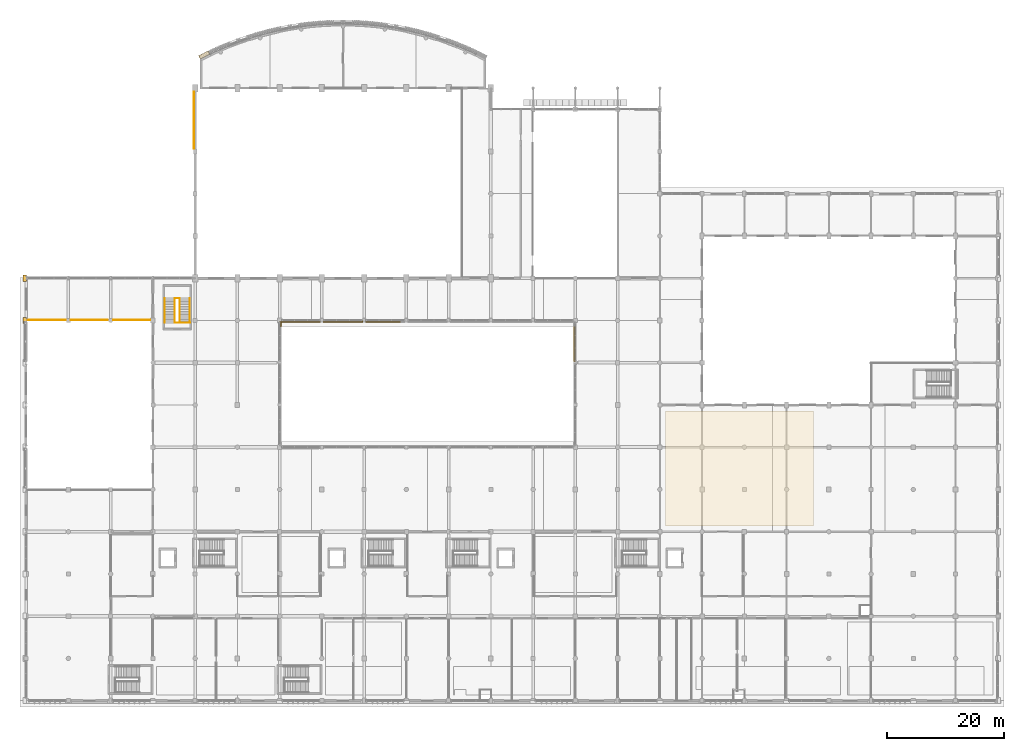
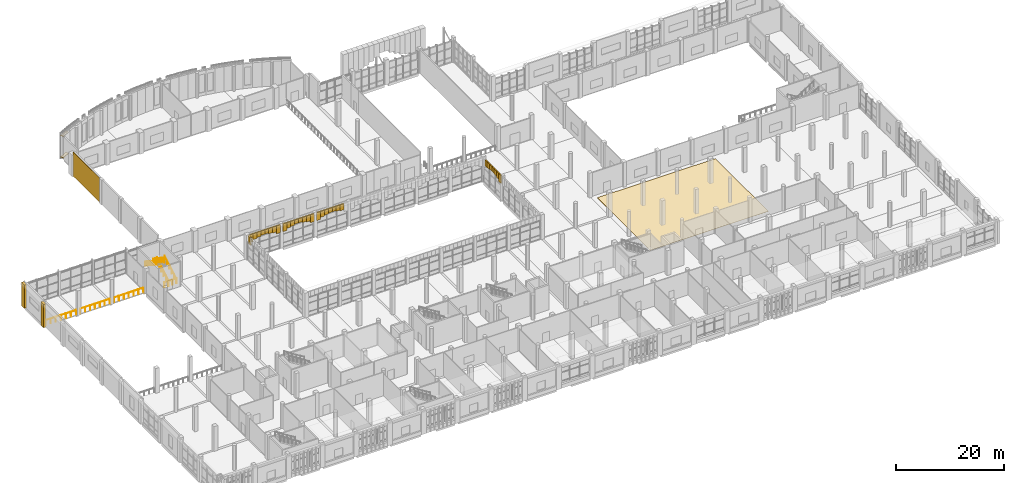
# One storey, part 71 of 80: 37 coverings, 7 railings.
"""IFC4 building model written with IfcOpenShell, lengths in metres."""

from ifc_helpers import new_model, si_unit, direction, frame, frame_2d, origin, origin_2d, place, context, subcontext, project, spatial, polyline, rectangle, circle, outline, extrude, material, layer, layer_set, type_object, element, save


model = new_model("IFC4")

# Units and contexts
model_context = context("Model", 3, precision=1e-05, world=origin(), true_north=direction((0.0, 1.0)))
body_context = subcontext(model_context, "Body", "Model", "MODEL_VIEW")
ifc_project = project(units=[si_unit("LENGTHUNIT", "METRE"), si_unit("AREAUNIT", "SQUARE_METRE"), si_unit("VOLUMEUNIT", "CUBIC_METRE"), si_unit("PLANEANGLEUNIT", "RADIAN"), si_unit("MASSUNIT", "GRAM", prefix="KILO")], contexts=[model_context])

# Site, building, storey
site_placement = place(None, origin())
site = spatial("IfcSite", under=ifc_project, at=site_placement, CompositionType="ELEMENT")
building_placement = place(site_placement, origin())
building = spatial("IfcBuilding", under=site, at=building_placement, Name="Sardonyx Promenade Sports Hall", CompositionType="ELEMENT")
storey_placement = place(building_placement, frame((0.0, 0.0, 5.60009765625)))
storey = spatial("IfcBuildingStorey", under=building, at=storey_placement, Name="L01", CompositionType="ELEMENT", Elevation=5.60009765625)

# Coverings
ifc_material_1 = material(Name="Dressed Cape red sandstone ashlar", Category="masonry")
ifc_layer_1 = layer(ifc_material_1, 0.06005859375)
ifc_layer_set_1 = layer_set([ifc_layer_1], Name="Cov_Cladding_Sandstone")
covering_type_1 = type_object("IfcCoveringType", Name="Cov_Cladding_Sandstone", PredefinedType="CLADDING", material=ifc_layer_set_1)
covering_1_placement = place(storey_placement, frame((28.614990234375, 94.034912109375, 0.0498046875), z_axis=(0.0, 0.0, 1.0), x_axis=(0.0, 1.0, 0.0)))
element("IfcCovering", 1, at=covering_1_placement, inside=storey, type_object=covering_type_1, Name="Dressed sandstone ashlar cladding L01 #213", PredefinedType="CLADDING", context=body_context, shape_type="SweptSolid", body=[
    extrude(rectangle(XDim=9.72998046875, YDim=0.050048828125, at=frame_2d((4.864990234375, 0.0))), origin(), (0.0, 0.0, 1.0), 5.5),
])
covering_2_placement = place(storey_placement, origin())
element("IfcCovering", 2, at=covering_2_placement, inside=storey, type_object=covering_type_1, Name="West sandstone pier casing L01 #9", PredefinedType="CLADDING", context=body_context, shape_type="SweptSolid", body=[
    extrude(outline(polyline([(-0.5, 64.280029296875), (0.02001953125, 64.280029296875), (0.02001953125, 65.320068359375), (-0.5, 65.320068359375), (-0.5, 64.280029296875)])), origin(), (0.0, 0.0, 1.0), 5.25),
])
covering_3_placement = place(storey_placement, origin())
element("IfcCovering", 3, at=covering_3_placement, inside=storey, type_object=covering_type_1, Name="West sandstone pier casing L01 #10", PredefinedType="CLADDING", context=body_context, shape_type="SweptSolid", body=[
    extrude(outline(polyline([(-0.5, 71.47998046875), (0.02001953125, 71.47998046875), (0.02001953125, 72.52001953125), (-0.5, 72.52001953125), (-0.5, 71.47998046875)])), origin(), (0.0, 0.0, 1.0), 5.25),
])
ifc_material_2 = material(Name="EPDM polymeric athletic surfacing", Category="other")
ifc_layer_2 = layer(ifc_material_2, 0.02490234375)
ifc_layer_set_2 = layer_set([ifc_layer_2], Name="Cov_Floor_Athletic")
covering_type_2 = type_object("IfcCoveringType", Name="Cov_Floor_Athletic", PredefinedType="FLOORING", material=ifc_layer_set_2)
covering_4_placement = place(storey_placement, origin())
element("IfcCovering", 4, at=covering_4_placement, inside=storey, type_object=covering_type_2, Name="Athletic flooring FLR2 L01 #18", PredefinedType="FLOORING", context=body_context, shape_type="SweptSolid", body=[
    extrude(outline(polyline([(109.0, 29.800048828125), (134.199951171875, 29.800048828125), (134.199951171875, 49.39990234375), (109.0, 49.39990234375), (109.0, 29.800048828125)])), origin(), (0.0, 0.0, 1.0), 0.02490234375),
])
ifc_material_3 = material(Name="Glulam GL28h", Category="wood")
ifc_layer_3 = layer(ifc_material_3, 0.110107421875)
ifc_layer_set_3 = layer_set([ifc_layer_3], Name="Cov_Louvre_GL28h")
covering_type_3 = type_object("IfcCoveringType", Name="Cov_Louvre_GL28h", PredefinedType="MOLDING", material=ifc_layer_set_3)
for number, where, z_axis, x_axis, name in (
    (5, (30.361083984375, 110.0458984375, 0.31982421875), (0.0, 0.0, 1.0), (0.892773817004, 0.450505173857, 0.0), "Bowed louvre carrier rail L01 CH01 #1"),
    (6, (30.361083984375, 110.0458984375, 5.179931640625), (0.0, 0.0, 1.0), (0.892773817004, 0.450505173857, 0.0), "Bowed louvre carrier rail L01 CH01 #2"),
):
    element("IfcCovering", number, at=place(storey_placement, frame(where, z_axis=z_axis, x_axis=x_axis)), inside=storey, type_object=covering_type_3, Name=name, PredefinedType="MOLDING", context=body_context, shape_type="SweptSolid", body=[
        extrude(rectangle(XDim=1.820068359375, YDim=0.6201171875, at=origin_2d()), origin(), (0.0, 0.0, 1.0), 0.10009765625),
    ])
ifc_material_4 = material(Name="Carved Cape red sandstone ashlar", Category="masonry")
ifc_layer_4 = layer(ifc_material_4, 0.239990234375)
ifc_layer_set_4 = layer_set([ifc_layer_4], Name="Cov_Mughal_Arch")
covering_type_4 = type_object("IfcCoveringType", Name="Cov_Mughal_Arch", PredefinedType="CLADDING", material=ifc_layer_set_4)
covering_5_placement = place(storey_placement, frame((43.449951171875, 64.64990234375, 3.584716796875), z_axis=(0.0, 0.0, 1.0), x_axis=(1.0, 0.0, 0.0)))
element("IfcCovering", 7, at=covering_5_placement, inside=storey, type_object=covering_type_4, Name="Mughal pointed-arch spandrel L01 cov:rq:N:L01:0 #1", PredefinedType="CLADDING", context=body_context, shape_type="SweptSolid", body=[
    extrude(rectangle(XDim=0.837646484375, YDim=0.280029296875, at=frame_2d((0.4189453125, 0.0))), origin(), (0.0, 0.0, 1.0), 1.76513671875),
])
covering_6_placement = place(storey_placement, frame((44.28759765625, 64.64990234375, 4.041748046875), z_axis=(0.0, 0.0, 1.0), x_axis=(1.0, 0.0, 0.0)))
element("IfcCovering", 8, at=covering_6_placement, inside=storey, type_object=covering_type_4, Name="Mughal pointed-arch spandrel L01 cov:rq:N:L01:0 #2", PredefinedType="CLADDING", context=body_context, shape_type="SweptSolid", body=[
    extrude(rectangle(XDim=0.83740234375, YDim=0.280029296875, at=frame_2d((0.418701171875, 0.0))), origin(), (0.0, 0.0, 1.0), 1.30810546875),
])
covering_7_placement = place(storey_placement, frame((45.125, 64.64990234375, 4.2119140625), z_axis=(0.0, 0.0, 1.0), x_axis=(1.0, 0.0, 0.0)))
element("IfcCovering", 9, at=covering_7_placement, inside=storey, type_object=covering_type_4, Name="Mughal pointed-arch spandrel L01 cov:rq:N:L01:0 #3", PredefinedType="CLADDING", context=body_context, shape_type="SweptSolid", body=[
    extrude(rectangle(XDim=0.83740234375, YDim=0.280029296875, at=frame_2d((0.418701171875, 0.0))), origin(), (0.0, 0.0, 1.0), 1.137939453125),
])
covering_8_placement = place(storey_placement, frame((45.96240234375, 64.64990234375, 4.429931640625), z_axis=(0.0, 0.0, 1.0), x_axis=(1.0, 0.0, 0.0)))
element("IfcCovering", 10, at=covering_8_placement, inside=storey, type_object=covering_type_4, Name="Mughal pointed-arch spandrel L01 cov:rq:N:L01:0 #4", PredefinedType="CLADDING", context=body_context, shape_type="SweptSolid", body=[
    extrude(rectangle(XDim=0.837646484375, YDim=0.280029296875, at=frame_2d((0.4189453125, 0.0))), origin(), (0.0, 0.0, 1.0), 0.919921875),
])
covering_9_placement = place(storey_placement, frame((46.800048828125, 64.64990234375, 4.429931640625), z_axis=(0.0, 0.0, 1.0), x_axis=(1.0, 0.0, 0.0)))
element("IfcCovering", 11, at=covering_9_placement, inside=storey, type_object=covering_type_4, Name="Mughal pointed-arch spandrel L01 cov:rq:N:L01:0 #5", PredefinedType="CLADDING", context=body_context, shape_type="SweptSolid", body=[
    extrude(rectangle(XDim=0.83740234375, YDim=0.280029296875, at=frame_2d((0.418701171875, 0.0))), origin(), (0.0, 0.0, 1.0), 0.919921875),
])
covering_10_placement = place(storey_placement, frame((47.637451171875, 64.64990234375, 4.2119140625), z_axis=(0.0, 0.0, 1.0), x_axis=(1.0, 0.0, 0.0)))
element("IfcCovering", 12, at=covering_10_placement, inside=storey, type_object=covering_type_4, Name="Mughal pointed-arch spandrel L01 cov:rq:N:L01:0 #6", PredefinedType="CLADDING", context=body_context, shape_type="SweptSolid", body=[
    extrude(rectangle(XDim=0.837646484375, YDim=0.280029296875, at=frame_2d((0.4189453125, 0.0))), origin(), (0.0, 0.0, 1.0), 1.137939453125),
])
covering_11_placement = place(storey_placement, frame((48.47509765625, 64.64990234375, 4.041748046875), z_axis=(0.0, 0.0, 1.0), x_axis=(1.0, 0.0, 0.0)))
element("IfcCovering", 13, at=covering_11_placement, inside=storey, type_object=covering_type_4, Name="Mughal pointed-arch spandrel L01 cov:rq:N:L01:0 #7", PredefinedType="CLADDING", context=body_context, shape_type="SweptSolid", body=[
    extrude(rectangle(XDim=0.83740234375, YDim=0.280029296875, at=frame_2d((0.418701171875, 0.0))), origin(), (0.0, 0.0, 1.0), 1.30810546875),
])
covering_12_placement = place(storey_placement, frame((49.3125, 64.64990234375, 3.584716796875), z_axis=(0.0, 0.0, 1.0), x_axis=(1.0, 0.0, 0.0)))
element("IfcCovering", 14, at=covering_12_placement, inside=storey, type_object=covering_type_4, Name="Mughal pointed-arch spandrel L01 cov:rq:N:L01:0 #8", PredefinedType="CLADDING", context=body_context, shape_type="SweptSolid", body=[
    extrude(rectangle(XDim=0.83740234375, YDim=0.280029296875, at=frame_2d((0.418701171875, 0.0))), origin(), (0.0, 0.0, 1.0), 1.76513671875),
])
covering_13_placement = place(storey_placement, frame((50.64990234375, 64.64990234375, 3.584716796875), z_axis=(0.0, 0.0, 1.0), x_axis=(1.0, 0.0, 0.0)))
element("IfcCovering", 15, at=covering_13_placement, inside=storey, type_object=covering_type_4, Name="Mughal pointed-arch spandrel L01 cov:rq:N:L01:1 #1", PredefinedType="CLADDING", context=body_context, shape_type="SweptSolid", body=[
    extrude(rectangle(XDim=0.837646484375, YDim=0.280029296875, at=frame_2d((0.4189453125, 0.0))), origin(), (0.0, 0.0, 1.0), 1.76513671875),
])
covering_14_placement = place(storey_placement, frame((51.487548828125, 64.64990234375, 4.041748046875), z_axis=(0.0, 0.0, 1.0), x_axis=(1.0, 0.0, 0.0)))
element("IfcCovering", 16, at=covering_14_placement, inside=storey, type_object=covering_type_4, Name="Mughal pointed-arch spandrel L01 cov:rq:N:L01:1 #2", PredefinedType="CLADDING", context=body_context, shape_type="SweptSolid", body=[
    extrude(rectangle(XDim=0.83740234375, YDim=0.280029296875, at=frame_2d((0.418701171875, 0.0))), origin(), (0.0, 0.0, 1.0), 1.30810546875),
])
covering_15_placement = place(storey_placement, frame((52.324951171875, 64.64990234375, 4.2119140625), z_axis=(0.0, 0.0, 1.0), x_axis=(1.0, 0.0, 0.0)))
element("IfcCovering", 17, at=covering_15_placement, inside=storey, type_object=covering_type_4, Name="Mughal pointed-arch spandrel L01 cov:rq:N:L01:1 #3", PredefinedType="CLADDING", context=body_context, shape_type="SweptSolid", body=[
    extrude(rectangle(XDim=0.837646484375, YDim=0.280029296875, at=frame_2d((0.4189453125, 0.0))), origin(), (0.0, 0.0, 1.0), 1.137939453125),
])
for number, where, z_axis, x_axis, name in (
    (18, (53.16259765625, 64.64990234375, 4.429931640625), (0.0, 0.0, 1.0), (1.0, 0.0, 0.0), "Mughal pointed-arch spandrel L01 cov:rq:N:L01:1 #4"),
    (19, (54.0, 64.64990234375, 4.429931640625), (0.0, 0.0, 1.0), (1.0, 0.0, 0.0), "Mughal pointed-arch spandrel L01 cov:rq:N:L01:1 #5"),
):
    element("IfcCovering", number, at=place(storey_placement, frame(where, z_axis=z_axis, x_axis=x_axis)), inside=storey, type_object=covering_type_4, Name=name, PredefinedType="CLADDING", context=body_context, shape_type="SweptSolid", body=[
        extrude(rectangle(XDim=0.83740234375, YDim=0.280029296875, at=frame_2d((0.418701171875, 0.0))), origin(), (0.0, 0.0, 1.0), 0.919921875),
    ])
covering_16_placement = place(storey_placement, frame((54.83740234375, 64.64990234375, 4.2119140625), z_axis=(0.0, 0.0, 1.0), x_axis=(1.0, 0.0, 0.0)))
element("IfcCovering", 20, at=covering_16_placement, inside=storey, type_object=covering_type_4, Name="Mughal pointed-arch spandrel L01 cov:rq:N:L01:1 #6", PredefinedType="CLADDING", context=body_context, shape_type="SweptSolid", body=[
    extrude(rectangle(XDim=0.837646484375, YDim=0.280029296875, at=frame_2d((0.4189453125, 0.0))), origin(), (0.0, 0.0, 1.0), 1.137939453125),
])
covering_17_placement = place(storey_placement, frame((55.675048828125, 64.64990234375, 4.041748046875), z_axis=(0.0, 0.0, 1.0), x_axis=(1.0, 0.0, 0.0)))
element("IfcCovering", 21, at=covering_17_placement, inside=storey, type_object=covering_type_4, Name="Mughal pointed-arch spandrel L01 cov:rq:N:L01:1 #7", PredefinedType="CLADDING", context=body_context, shape_type="SweptSolid", body=[
    extrude(rectangle(XDim=0.83740234375, YDim=0.280029296875, at=frame_2d((0.418701171875, 0.0))), origin(), (0.0, 0.0, 1.0), 1.30810546875),
])
covering_18_placement = place(storey_placement, frame((56.512451171875, 64.64990234375, 3.584716796875), z_axis=(0.0, 0.0, 1.0), x_axis=(1.0, 0.0, 0.0)))
element("IfcCovering", 22, at=covering_18_placement, inside=storey, type_object=covering_type_4, Name="Mughal pointed-arch spandrel L01 cov:rq:N:L01:1 #8", PredefinedType="CLADDING", context=body_context, shape_type="SweptSolid", body=[
    extrude(rectangle(XDim=0.837646484375, YDim=0.280029296875, at=frame_2d((0.4189453125, 0.0))), origin(), (0.0, 0.0, 1.0), 1.76513671875),
])
covering_19_placement = place(storey_placement, frame((57.85009765625, 64.64990234375, 3.584716796875), z_axis=(0.0, 0.0, 1.0), x_axis=(1.0, 0.0, 0.0)))
element("IfcCovering", 23, at=covering_19_placement, inside=storey, type_object=covering_type_4, Name="Mughal pointed-arch spandrel L01 cov:rq:N:L01:2 #1", PredefinedType="CLADDING", context=body_context, shape_type="SweptSolid", body=[
    extrude(rectangle(XDim=0.83740234375, YDim=0.280029296875, at=frame_2d((0.418701171875, 0.0))), origin(), (0.0, 0.0, 1.0), 1.76513671875),
])
covering_20_placement = place(storey_placement, frame((58.6875, 64.64990234375, 4.041748046875), z_axis=(0.0, 0.0, 1.0), x_axis=(1.0, 0.0, 0.0)))
element("IfcCovering", 24, at=covering_20_placement, inside=storey, type_object=covering_type_4, Name="Mughal pointed-arch spandrel L01 cov:rq:N:L01:2 #2", PredefinedType="CLADDING", context=body_context, shape_type="SweptSolid", body=[
    extrude(rectangle(XDim=0.83740234375, YDim=0.280029296875, at=frame_2d((0.418701171875, 0.0))), origin(), (0.0, 0.0, 1.0), 1.30810546875),
])
covering_21_placement = place(storey_placement, frame((59.52490234375, 64.64990234375, 4.2119140625), z_axis=(0.0, 0.0, 1.0), x_axis=(1.0, 0.0, 0.0)))
element("IfcCovering", 25, at=covering_21_placement, inside=storey, type_object=covering_type_4, Name="Mughal pointed-arch spandrel L01 cov:rq:N:L01:2 #3", PredefinedType="CLADDING", context=body_context, shape_type="SweptSolid", body=[
    extrude(rectangle(XDim=0.837646484375, YDim=0.280029296875, at=frame_2d((0.4189453125, 0.0))), origin(), (0.0, 0.0, 1.0), 1.137939453125),
])
covering_22_placement = place(storey_placement, frame((60.362548828125, 64.64990234375, 4.429931640625), z_axis=(0.0, 0.0, 1.0), x_axis=(1.0, 0.0, 0.0)))
element("IfcCovering", 26, at=covering_22_placement, inside=storey, type_object=covering_type_4, Name="Mughal pointed-arch spandrel L01 cov:rq:N:L01:2 #4", PredefinedType="CLADDING", context=body_context, shape_type="SweptSolid", body=[
    extrude(rectangle(XDim=0.83740234375, YDim=0.280029296875, at=frame_2d((0.418701171875, 0.0))), origin(), (0.0, 0.0, 1.0), 0.919921875),
])
covering_23_placement = place(storey_placement, frame((61.199951171875, 64.64990234375, 4.429931640625), z_axis=(0.0, 0.0, 1.0), x_axis=(1.0, 0.0, 0.0)))
element("IfcCovering", 27, at=covering_23_placement, inside=storey, type_object=covering_type_4, Name="Mughal pointed-arch spandrel L01 cov:rq:N:L01:2 #5", PredefinedType="CLADDING", context=body_context, shape_type="SweptSolid", body=[
    extrude(rectangle(XDim=0.837646484375, YDim=0.280029296875, at=frame_2d((0.4189453125, 0.0))), origin(), (0.0, 0.0, 1.0), 0.919921875),
])
covering_24_placement = place(storey_placement, frame((62.03759765625, 64.64990234375, 4.2119140625), z_axis=(0.0, 0.0, 1.0), x_axis=(1.0, 0.0, 0.0)))
element("IfcCovering", 28, at=covering_24_placement, inside=storey, type_object=covering_type_4, Name="Mughal pointed-arch spandrel L01 cov:rq:N:L01:2 #6", PredefinedType="CLADDING", context=body_context, shape_type="SweptSolid", body=[
    extrude(rectangle(XDim=0.83740234375, YDim=0.280029296875, at=frame_2d((0.418701171875, 0.0))), origin(), (0.0, 0.0, 1.0), 1.137939453125),
])
covering_25_placement = place(storey_placement, frame((62.875, 64.64990234375, 4.041748046875), z_axis=(0.0, 0.0, 1.0), x_axis=(1.0, 0.0, 0.0)))
element("IfcCovering", 29, at=covering_25_placement, inside=storey, type_object=covering_type_4, Name="Mughal pointed-arch spandrel L01 cov:rq:N:L01:2 #7", PredefinedType="CLADDING", context=body_context, shape_type="SweptSolid", body=[
    extrude(rectangle(XDim=0.83740234375, YDim=0.280029296875, at=frame_2d((0.418701171875, 0.0))), origin(), (0.0, 0.0, 1.0), 1.30810546875),
])
covering_26_placement = place(storey_placement, frame((43.35009765625, 63.71240234375, 3.584716796875), z_axis=(0.0, 0.0, 1.0), x_axis=(0.0, 1.0, 0.0)))
element("IfcCovering", 30, at=covering_26_placement, inside=storey, type_object=covering_type_4, Name="Mughal pointed-arch spandrel L01 cov:rq:W:L01:2 #8", PredefinedType="CLADDING", context=body_context, shape_type="SweptSolid", body=[
    extrude(rectangle(XDim=0.837646484375, YDim=0.280029296875, at=frame_2d((0.4189453125, 0.0))), origin(), (0.0, 0.0, 1.0), 1.76513671875),
])
covering_27_placement = place(storey_placement, frame((93.449951171875, 57.85009765625, 3.584716796875), z_axis=(0.0, 0.0, 1.0), x_axis=(0.0, 1.0, 0.0)))
element("IfcCovering", 31, at=covering_27_placement, inside=storey, type_object=covering_type_4, Name="Mughal pointed-arch spandrel L01 cov:rq:E:L01:2 #1", PredefinedType="CLADDING", context=body_context, shape_type="SweptSolid", body=[
    extrude(rectangle(XDim=0.83740234375, YDim=0.280029296875, at=frame_2d((0.418701171875, 0.0))), origin(), (0.0, 0.0, 1.0), 1.76513671875),
])
covering_28_placement = place(storey_placement, frame((93.449951171875, 58.6875, 4.041748046875), z_axis=(0.0, 0.0, 1.0), x_axis=(0.0, 1.0, 0.0)))
element("IfcCovering", 32, at=covering_28_placement, inside=storey, type_object=covering_type_4, Name="Mughal pointed-arch spandrel L01 cov:rq:E:L01:2 #2", PredefinedType="CLADDING", context=body_context, shape_type="SweptSolid", body=[
    extrude(rectangle(XDim=0.83740234375, YDim=0.280029296875, at=frame_2d((0.418701171875, 0.0))), origin(), (0.0, 0.0, 1.0), 1.30810546875),
])
covering_29_placement = place(storey_placement, frame((93.449951171875, 59.52490234375, 4.2119140625), z_axis=(0.0, 0.0, 1.0), x_axis=(0.0, 1.0, 0.0)))
element("IfcCovering", 33, at=covering_29_placement, inside=storey, type_object=covering_type_4, Name="Mughal pointed-arch spandrel L01 cov:rq:E:L01:2 #3", PredefinedType="CLADDING", context=body_context, shape_type="SweptSolid", body=[
    extrude(rectangle(XDim=0.837646484375, YDim=0.280029296875, at=frame_2d((0.4189453125, 0.0))), origin(), (0.0, 0.0, 1.0), 1.137939453125),
])
covering_30_placement = place(storey_placement, frame((93.449951171875, 60.362548828125, 4.429931640625), z_axis=(0.0, 0.0, 1.0), x_axis=(0.0, 1.0, 0.0)))
element("IfcCovering", 34, at=covering_30_placement, inside=storey, type_object=covering_type_4, Name="Mughal pointed-arch spandrel L01 cov:rq:E:L01:2 #4", PredefinedType="CLADDING", context=body_context, shape_type="SweptSolid", body=[
    extrude(rectangle(XDim=0.83740234375, YDim=0.280029296875, at=frame_2d((0.418701171875, 0.0))), origin(), (0.0, 0.0, 1.0), 0.919921875),
])
covering_31_placement = place(storey_placement, frame((93.449951171875, 61.199951171875, 4.429931640625), z_axis=(0.0, 0.0, 1.0), x_axis=(0.0, 1.0, 0.0)))
element("IfcCovering", 35, at=covering_31_placement, inside=storey, type_object=covering_type_4, Name="Mughal pointed-arch spandrel L01 cov:rq:E:L01:2 #5", PredefinedType="CLADDING", context=body_context, shape_type="SweptSolid", body=[
    extrude(rectangle(XDim=0.837646484375, YDim=0.280029296875, at=frame_2d((0.4189453125, 0.0))), origin(), (0.0, 0.0, 1.0), 0.919921875),
])
covering_32_placement = place(storey_placement, frame((93.449951171875, 62.03759765625, 4.2119140625), z_axis=(0.0, 0.0, 1.0), x_axis=(0.0, 1.0, 0.0)))
element("IfcCovering", 36, at=covering_32_placement, inside=storey, type_object=covering_type_4, Name="Mughal pointed-arch spandrel L01 cov:rq:E:L01:2 #6", PredefinedType="CLADDING", context=body_context, shape_type="SweptSolid", body=[
    extrude(rectangle(XDim=0.83740234375, YDim=0.280029296875, at=frame_2d((0.418701171875, 0.0))), origin(), (0.0, 0.0, 1.0), 1.137939453125),
])
covering_33_placement = place(storey_placement, frame((93.449951171875, 62.875, 4.041748046875), z_axis=(0.0, 0.0, 1.0), x_axis=(0.0, 1.0, 0.0)))
element("IfcCovering", 37, at=covering_33_placement, inside=storey, type_object=covering_type_4, Name="Mughal pointed-arch spandrel L01 cov:rq:E:L01:2 #7", PredefinedType="CLADDING", context=body_context, shape_type="SweptSolid", body=[
    extrude(rectangle(XDim=0.83740234375, YDim=0.280029296875, at=frame_2d((0.418701171875, 0.0))), origin(), (0.0, 0.0, 1.0), 1.30810546875),
])

# Railings
ifc_material_5 = material(Name="Powder-coated Steel S355JR", Category="steel")
railing_type_1 = type_object("IfcRailingType", Name="Rail_Int_Guard_1100", PredefinedType="GUARDRAIL", material=ifc_material_5)
railing_1_placement = place(storey_placement, frame((27.905029296875, 64.409912109375, 0.0)))
element("IfcRailing", 38, at=railing_1_placement, inside=storey, type_object=railing_type_1, Name="Stair floor-edge guard ST7 L01", PredefinedType="GUARDRAIL", context=body_context, shape_type="SweptSolid", body=[
    extrude(circle(Radius=0.02392578125, at=origin_2d()), frame((0.0, 0.0, 1.09619140625), z_axis=(-1.0, 0.0, 0.0), x_axis=(0.0, -1.0, 0.0)), (0.0, 0.0, 1.0), 2.570068359375),
    extrude(circle(Radius=0.02392578125, at=origin_2d()), frame((-2.570068359375, 0.0, 1.09619140625), z_axis=(0.0, -1.0, 0.0), x_axis=(1.0, 0.0, 0.0)), (0.0, 0.0, 1.0), 0.010009765625),
    extrude(circle(Radius=0.02099609375, at=origin_2d()), origin(), (0.0, 0.0, 1.0), 1.072021484375),
    extrude(circle(Radius=0.02099609375, at=origin_2d()), frame((-0.856689453125, 0.0, 0.0)), (0.0, 0.0, 1.0), 1.072021484375),
    extrude(circle(Radius=0.02099609375, at=origin_2d()), frame((-1.71337890625, 0.0, 0.0)), (0.0, 0.0, 1.0), 1.072021484375),
    extrude(circle(Radius=0.02099609375, at=origin_2d()), frame((-2.570068359375, 0.0, 0.0)), (0.0, 0.0, 1.0), 1.072021484375),
    extrude(circle(Radius=0.02099609375, at=origin_2d()), frame((-2.570068359375, -0.010009765625, 0.0)), (0.0, 0.0, 1.0), 1.072021484375),
])
railing_2_placement = place(storey_placement, frame((26.1650390625, 64.39990234375, 0.1748046875)))
element("IfcRailing", 39, at=railing_2_placement, inside=storey, type_object=railing_type_1, Name="Stair inner well guard ST7 L01", PredefinedType="GUARDRAIL", context=body_context, shape_type="SweptSolid", body=[
    extrude(circle(Radius=0.02392578125, at=origin_2d()), frame((0.0, 0.0, 1.09619140625), z_axis=(0.0, 0.846868231521, 0.531802781528), x_axis=(-1.0, 0.0, 0.0)), (0.0, 0.0, 1.0), 4.93603515625),
    extrude(circle(Radius=0.02392578125, at=origin_2d()), frame((0.0, 4.18017578125, 3.72119140625), z_axis=(-1.0, 0.0, 0.0), x_axis=(0.0, -1.0, 0.0)), (0.0, 0.0, 1.0), 0.830078125),
    extrude(circle(Radius=0.02392578125, at=origin_2d()), frame((-0.830078125, 4.18017578125, 3.72119140625), z_axis=(0.0, -0.830831454536, 0.556524118214), x_axis=(1.0, 0.0, 0.0)), (0.0, 0.0, 1.0), 5.03125),
    extrude(circle(Radius=0.02099609375, at=origin_2d()), origin(), (0.0, 0.0, 1.0), 1.072021484375),
    extrude(circle(Radius=0.02099609375, at=origin_2d()), frame((0.0, 0.8359375, 0.52490234375)), (0.0, 0.0, 1.0), 1.072021484375),
    extrude(circle(Radius=0.02099609375, at=origin_2d()), frame((0.0, 1.672119140625, 1.050048828125)), (0.0, 0.0, 1.0), 1.072021484375),
    extrude(circle(Radius=0.02099609375, at=origin_2d()), frame((0.0, 2.508056640625, 1.574951171875)), (0.0, 0.0, 1.0), 1.072021484375),
    extrude(circle(Radius=0.02099609375, at=origin_2d()), frame((0.0, 3.34423828125, 2.10009765625)), (0.0, 0.0, 1.0), 1.072021484375),
    extrude(circle(Radius=0.02099609375, at=origin_2d()), frame((0.0, 4.18017578125, 2.625)), (0.0, 0.0, 1.0), 1.072021484375),
    extrude(circle(Radius=0.02099609375, at=origin_2d()), frame((-0.830078125, 4.18017578125, 2.625)), (0.0, 0.0, 1.0), 1.072021484375),
    extrude(circle(Radius=0.02099609375, at=origin_2d()), frame((-0.830078125, 3.34423828125, 3.18505859375)), (0.0, 0.0, 1.0), 1.072021484375),
    extrude(circle(Radius=0.02099609375, at=origin_2d()), frame((-0.830078125, 2.508056640625, 3.7451171875)), (0.0, 0.0, 1.0), 1.072021484375),
    extrude(circle(Radius=0.02099609375, at=origin_2d()), frame((-0.830078125, 1.672119140625, 4.304931640625)), (0.0, 0.0, 1.0), 1.072021484375),
    extrude(circle(Radius=0.02099609375, at=origin_2d()), frame((-0.830078125, 0.8359375, 4.864990234375)), (0.0, 0.0, 1.0), 1.072021484375),
    extrude(circle(Radius=0.02099609375, at=origin_2d()), frame((-0.830078125, 0.0, 5.425048828125)), (0.0, 0.0, 1.0), 1.072021484375),
])
railing_3_placement = place(storey_placement, frame((0.25, 64.8701171875, 0.0)))
element("IfcRailing", 40, at=railing_3_placement, inside=storey, type_object=railing_type_1, Name="Deck-edge guardrail GR02 L01 #21", PredefinedType="GUARDRAIL", context=body_context, shape_type="SweptSolid", body=[
    extrude(circle(Radius=0.02392578125, at=origin_2d()), frame((0.0, 0.0, 1.09619140625), z_axis=(1.0, 0.0, 0.0), x_axis=(0.0, 1.0, 0.0)), (0.0, 0.0, 1.0), 6.5),
    extrude(circle(Radius=0.02099609375, at=origin_2d()), origin(), (0.0, 0.0, 1.0), 1.072021484375),
    extrude(circle(Radius=0.02099609375, at=origin_2d()), frame((1.083251953125, 0.0, 0.0)), (0.0, 0.0, 1.0), 1.072021484375),
    extrude(circle(Radius=0.02099609375, at=origin_2d()), frame((2.166748046875, 0.0, 0.0)), (0.0, 0.0, 1.0), 1.072021484375),
    extrude(circle(Radius=0.02099609375, at=origin_2d()), frame((3.25, 0.0, 0.0)), (0.0, 0.0, 1.0), 1.072021484375),
    extrude(circle(Radius=0.02099609375, at=origin_2d()), frame((4.333251953125, 0.0, 0.0)), (0.0, 0.0, 1.0), 1.072021484375),
    extrude(circle(Radius=0.02099609375, at=origin_2d()), frame((5.416748046875, 0.0, 0.0)), (0.0, 0.0, 1.0), 1.072021484375),
    extrude(circle(Radius=0.02099609375, at=origin_2d()), frame((6.5, 0.0, 0.0)), (0.0, 0.0, 1.0), 1.072021484375),
])
railing_4_placement = place(storey_placement, frame((7.64990234375, 64.8701171875, 0.0)))
element("IfcRailing", 41, at=railing_4_placement, inside=storey, type_object=railing_type_1, Name="Deck-edge guardrail GR02 L01 #22", PredefinedType="GUARDRAIL", context=body_context, shape_type="SweptSolid", body=[
    extrude(circle(Radius=0.02392578125, at=origin_2d()), frame((0.0, 0.0, 1.09619140625), z_axis=(1.0, 0.0, 0.0), x_axis=(0.0, 1.0, 0.0)), (0.0, 0.0, 1.0), 6.275146484375),
    extrude(circle(Radius=0.02099609375, at=origin_2d()), origin(), (0.0, 0.0, 1.0), 1.072021484375),
    extrude(circle(Radius=0.02099609375, at=origin_2d()), frame((1.0458984375, 0.0, 0.0)), (0.0, 0.0, 1.0), 1.072021484375),
    extrude(circle(Radius=0.02099609375, at=origin_2d()), frame((2.091796875, 0.0, 0.0)), (0.0, 0.0, 1.0), 1.072021484375),
    extrude(circle(Radius=0.02099609375, at=origin_2d()), frame((3.1376953125, 0.0, 0.0)), (0.0, 0.0, 1.0), 1.072021484375),
    extrude(circle(Radius=0.02099609375, at=origin_2d()), frame((4.183349609375, 0.0, 0.0)), (0.0, 0.0, 1.0), 1.072021484375),
    extrude(circle(Radius=0.02099609375, at=origin_2d()), frame((5.229248046875, 0.0, 0.0)), (0.0, 0.0, 1.0), 1.072021484375),
    extrude(circle(Radius=0.02099609375, at=origin_2d()), frame((6.275146484375, 0.0, 0.0)), (0.0, 0.0, 1.0), 1.072021484375),
])
railing_5_placement = place(storey_placement, frame((14.875, 64.8701171875, 0.0)))
element("IfcRailing", 42, at=railing_5_placement, inside=storey, type_object=railing_type_1, Name="Deck-edge guardrail GR02 L01 #23", PredefinedType="GUARDRAIL", context=body_context, shape_type="SweptSolid", body=[
    extrude(circle(Radius=0.02392578125, at=origin_2d()), frame((0.0, 0.0, 1.09619140625), z_axis=(1.0, 0.0, 0.0), x_axis=(0.0, 1.0, 0.0)), (0.0, 0.0, 1.0), 6.22509765625),
    extrude(circle(Radius=0.02099609375, at=origin_2d()), origin(), (0.0, 0.0, 1.0), 1.072021484375),
    extrude(circle(Radius=0.02099609375, at=origin_2d()), frame((1.03759765625, 0.0, 0.0)), (0.0, 0.0, 1.0), 1.072021484375),
    extrude(circle(Radius=0.02099609375, at=origin_2d()), frame((2.074951171875, 0.0, 0.0)), (0.0, 0.0, 1.0), 1.072021484375),
    extrude(circle(Radius=0.02099609375, at=origin_2d()), frame((3.112548828125, 0.0, 0.0)), (0.0, 0.0, 1.0), 1.072021484375),
    extrude(circle(Radius=0.02099609375, at=origin_2d()), frame((4.150146484375, 0.0, 0.0)), (0.0, 0.0, 1.0), 1.072021484375),
    extrude(circle(Radius=0.02099609375, at=origin_2d()), frame((5.1875, 0.0, 0.0)), (0.0, 0.0, 1.0), 1.072021484375),
    extrude(circle(Radius=0.02099609375, at=origin_2d()), frame((6.22509765625, 0.0, 0.0)), (0.0, 0.0, 1.0), 1.072021484375),
])
ifc_material_6 = material(Name="Brushed stainless steel Grade 304", Category="steel")
railing_type_2 = type_object("IfcRailingType", Name="Rail_Int_Handrail_900", PredefinedType="HANDRAIL", material=ifc_material_6)
railing_6_placement = place(storey_placement, frame((27.875, 64.39990234375, 0.1748046875)))
element("IfcRailing", 43, at=railing_6_placement, inside=storey, type_object=railing_type_2, Name="Stair handrail ST7 L01 F1", PredefinedType="HANDRAIL", context=body_context, shape_type="SweptSolid", body=[
    extrude(circle(Radius=0.02392578125, at=origin_2d()), frame((0.0, 0.0, 0.8759765625), z_axis=(0.0, 0.848009380541, 0.529981217134), x_axis=(-1.0, 0.0, 0.0)), (0.0, 0.0, 1.0), 4.953125),
    extrude(circle(Radius=0.02099609375, at=origin_2d()), origin(), (0.0, 0.0, 1.0), 0.851806640625),
    extrude(circle(Radius=0.02099609375, at=origin_2d()), frame((0.0, 0.840087890625, 0.52490234375)), (0.0, 0.0, 1.0), 0.851806640625),
    extrude(circle(Radius=0.02099609375, at=origin_2d()), frame((0.0, 1.68017578125, 1.050048828125)), (0.0, 0.0, 1.0), 0.851806640625),
    extrude(circle(Radius=0.02099609375, at=origin_2d()), frame((0.0, 2.52001953125, 1.574951171875)), (0.0, 0.0, 1.0), 0.851806640625),
    extrude(circle(Radius=0.02099609375, at=origin_2d()), frame((0.0, 3.360107421875, 2.10009765625)), (0.0, 0.0, 1.0), 0.851806640625),
    extrude(circle(Radius=0.02099609375, at=origin_2d()), frame((0.0, 4.2001953125, 2.625)), (0.0, 0.0, 1.0), 0.851806640625),
])
railing_7_placement = place(storey_placement, frame((23.625, 68.60009765625, 2.974853515625)))
element("IfcRailing", 44, at=railing_7_placement, inside=storey, type_object=railing_type_2, Name="Stair handrail ST7 L01 F2", PredefinedType="HANDRAIL", context=body_context, shape_type="SweptSolid", body=[
    extrude(circle(Radius=0.02392578125, at=origin_2d()), frame((0.0, 0.0, 0.8759765625), z_axis=(0.0, -0.848009380541, 0.529981217134), x_axis=(1.0, 0.0, 0.0)), (0.0, 0.0, 1.0), 4.953125),
    extrude(circle(Radius=0.02099609375, at=origin_2d()), origin(), (0.0, 0.0, 1.0), 0.851806640625),
    extrude(circle(Radius=0.02099609375, at=origin_2d()), frame((0.0, -0.840087890625, 0.52490234375)), (0.0, 0.0, 1.0), 0.851806640625),
    extrude(circle(Radius=0.02099609375, at=origin_2d()), frame((0.0, -1.68017578125, 1.050048828125)), (0.0, 0.0, 1.0), 0.851806640625),
    extrude(circle(Radius=0.02099609375, at=origin_2d()), frame((0.0, -2.52001953125, 1.574951171875)), (0.0, 0.0, 1.0), 0.851806640625),
    extrude(circle(Radius=0.02099609375, at=origin_2d()), frame((0.0, -3.360107421875, 2.10009765625)), (0.0, 0.0, 1.0), 0.851806640625),
    extrude(circle(Radius=0.02099609375, at=origin_2d()), frame((0.0, -4.2001953125, 2.625)), (0.0, 0.0, 1.0), 0.851806640625),
])

save(model, "model.ifc")
